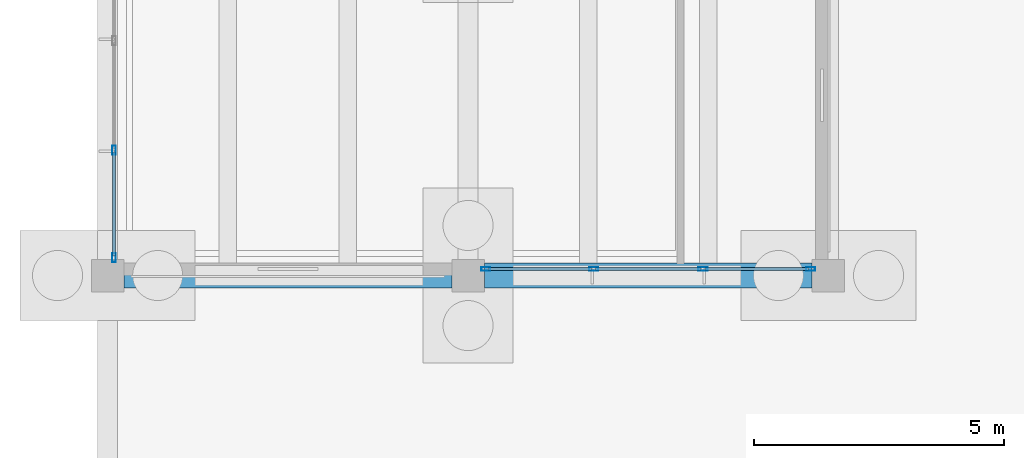
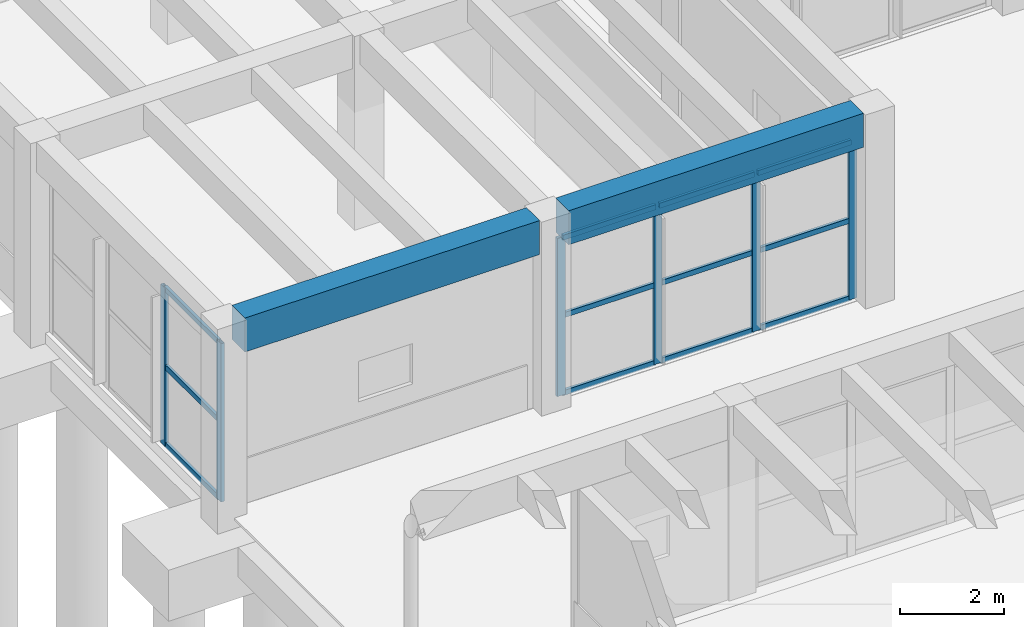
# One storey, part 57 of 155: 18 members, 2 beams, 2 elements without a shape of their own.
"""IFC4 building model written with IfcOpenShell, lengths in metres."""

from ifc_helpers import new_model, si_unit, direction, frame, origin, origin_2d, place, context, subcontext, project, spatial, rectangle, hollow_rectangle, extrude, material, material_profile, profile_set, type_object, element, aggregate, save


model = new_model("IFC4")

# Units and contexts
model_context = context("Model", 3, precision=1e-05, world=origin(), true_north=direction((0.0, 1.0)))
body_context = subcontext(model_context, "Body", "Model", "MODEL_VIEW")
ifc_project = project(units=[si_unit("LENGTHUNIT", "METRE"), si_unit("AREAUNIT", "SQUARE_METRE"), si_unit("VOLUMEUNIT", "CUBIC_METRE"), si_unit("PLANEANGLEUNIT", "RADIAN"), si_unit("MASSUNIT", "GRAM", prefix="KILO")], contexts=[model_context])

# Site, building, storey
site_placement = place(None, origin())
site = spatial("IfcSite", under=ifc_project, at=site_placement, CompositionType="ELEMENT")
building_placement = place(site_placement, origin())
building = spatial("IfcBuilding", under=site, at=building_placement, Name="Bramvelor Terrace Health Centre", CompositionType="ELEMENT")
storey_placement = place(building_placement, origin())
storey = spatial("IfcBuildingStorey", under=building, at=storey_placement, Name="L01", CompositionType="ELEMENT", Elevation=0.0)

# Beams
ifc_material_1 = material(Name="Concrete C40/50", Category="concrete")
ifc_material_profile_1 = material_profile(ifc_material_1, rectangle(XDim=0.5, YDim=0.800048828125, at=origin_2d()), Name="RC 500x800")
ifc_profile_set_1 = profile_set([ifc_material_profile_1], Name="Concrete C40/50")
beam_type = type_object("IfcBeamType", Name="BM-RC-G800", PredefinedType="BEAM", material=ifc_profile_set_1)
for number, where, z_axis, x_axis, name in (
    (1, (0.324951171875, 72.0, 4.159912109375), (1.0, 0.0, 0.0), (0.0, 1.0, 0.0), "L01 Floor Girder"),
    (2, (7.52490234375, 72.0, 4.159912109375), (1.0, 0.0, 0.0), (0.0, 1.0, 0.0), "L01 Floor Girder"),
):
    element("IfcBeam", number, at=place(storey_placement, frame(where, z_axis=z_axis, x_axis=x_axis)), inside=storey, type_object=beam_type, Name=name, PredefinedType="BEAM", context=body_context, shape_type="SweptSolid", body=[
        extrude(rectangle(XDim=0.5, YDim=0.800048828125, at=origin_2d()), origin(), (0.0, 0.0, 1.0), 6.550048828125),
    ])

# Curtain wall, members
ifc_material_2 = material(Name="Anodized aluminium and double low-E glass", Category="aluminium")
curtain_wall_type = type_object("IfcCurtainWallType", Name="CW-SYS-02", PredefinedType="NOTDEFINED", material=ifc_material_2)
curtain_wall_1_placement = place(storey_placement, origin())
curtain_wall_1 = element("IfcCurtainWall", 3, at=curtain_wall_1_placement, inside=storey, type_object=curtain_wall_type, Name="L01 Unitized Curtain Wall 14", PredefinedType="NOTDEFINED")
ifc_material_3 = material(Name="Anodized aluminium 6063-T6", Category="aluminium")
ifc_material_profile_2 = material_profile(ifc_material_3, hollow_rectangle(XDim=0.074951171875, YDim=0.179931640625, WallThickness=0.00341796875, at=origin_2d()), Name="ALU-MUL 75x180x3.5")
ifc_profile_set_2 = profile_set([ifc_material_profile_2], Name="Anodized aluminium 6063-T6")
member_type_1 = type_object("IfcMemberType", Name="CW-MUL-65x180", PredefinedType="MULLION", material=ifc_profile_set_2)
member_1_placement = place(storey_placement, frame((14.04248046875, 72.1298828125, 0.0), z_axis=(0.0, 0.0, 1.0), x_axis=(0.0, -1.0, 0.0)))
member_1 = element("IfcMember", 4, at=member_1_placement, type_object=member_type_1, Name="CW-02 mullion 1", PredefinedType="MULLION", context=body_context, shape_type="SweptSolid", body=[
    extrude(hollow_rectangle(XDim=0.074951171875, YDim=0.179931640625, WallThickness=0.00341796875, at=origin_2d()), origin(), (0.0, 0.0, 1.0), 3.719970703125),
])
member_2_placement = place(storey_placement, frame((11.893310546875, 72.1298828125, 0.0), z_axis=(0.0, 0.0, 1.0), x_axis=(0.0, -1.0, 0.0)))
member_2 = element("IfcMember", 5, at=member_2_placement, type_object=member_type_1, Name="CW-02 mullion 2", PredefinedType="MULLION", context=body_context, shape_type="SweptSolid", body=[
    extrude(hollow_rectangle(XDim=0.074951171875, YDim=0.179931640625, WallThickness=0.00341796875, at=origin_2d()), origin(), (0.0, 0.0, 1.0), 3.719970703125),
])
member_3_placement = place(storey_placement, frame((9.706787109375, 72.1298828125, 0.0), z_axis=(0.0, 0.0, 1.0), x_axis=(0.0, -1.0, 0.0)))
member_3 = element("IfcMember", 6, at=member_3_placement, type_object=member_type_1, Name="CW-02 mullion 3", PredefinedType="MULLION", context=body_context, shape_type="SweptSolid", body=[
    extrude(hollow_rectangle(XDim=0.074951171875, YDim=0.179931640625, WallThickness=0.00341796875, at=origin_2d()), origin(), (0.0, 0.0, 1.0), 3.719970703125),
])
member_4_placement = place(storey_placement, frame((7.5576171875, 72.1298828125, 0.0), z_axis=(0.0, 0.0, 1.0), x_axis=(0.0, -1.0, 0.0)))
member_4 = element("IfcMember", 7, at=member_4_placement, type_object=member_type_1, Name="CW-02 mullion 4", PredefinedType="MULLION", context=body_context, shape_type="SweptSolid", body=[
    extrude(hollow_rectangle(XDim=0.074951171875, YDim=0.179931640625, WallThickness=0.00341796875, at=origin_2d()), origin(), (0.0, 0.0, 1.0), 3.719970703125),
])

curtain_wall_2_placement = place(storey_placement, origin())
curtain_wall_2 = element("IfcCurtainWall", 8, at=curtain_wall_2_placement, inside=storey, type_object=curtain_wall_type, Name="L01 Unitized Curtain Wall 15", PredefinedType="NOTDEFINED")
member_5_placement = place(storey_placement, frame((0.1298828125, 72.357421875, 0.0), z_axis=(0.0, 0.0, 1.0), x_axis=(-1.0, 0.0, 0.0)))
member_5 = element("IfcMember", 9, at=member_5_placement, type_object=member_type_1, Name="CW-02 mullion 1", PredefinedType="MULLION", context=body_context, shape_type="SweptSolid", body=[
    extrude(hollow_rectangle(XDim=0.074951171875, YDim=0.179931640625, WallThickness=0.00341796875, at=origin_2d()), origin(), (0.0, 0.0, 1.0), 3.719970703125),
])
member_6_placement = place(storey_placement, frame((0.1298828125, 74.506591796875, 0.0), z_axis=(0.0, 0.0, 1.0), x_axis=(-1.0, 0.0, 0.0)))
member_6 = element("IfcMember", 10, at=member_6_placement, type_object=member_type_1, Name="CW-02 mullion 2", PredefinedType="MULLION", context=body_context, shape_type="SweptSolid", body=[
    extrude(hollow_rectangle(XDim=0.074951171875, YDim=0.179931640625, WallThickness=0.00341796875, at=origin_2d()), origin(), (0.0, 0.0, 1.0), 3.719970703125),
])

# Member
ifc_material_4 = material(Name="Anodized aluminium 6063-T6", Category="aluminium")
ifc_material_profile_3 = material_profile(ifc_material_4, hollow_rectangle(XDim=0.06494140625, YDim=0.1201171875, WallThickness=0.0029296875, at=origin_2d()), Name="ALU-TRN 65x120x3.0")
ifc_profile_set_3 = profile_set([ifc_material_profile_3], Name="Anodized aluminium 6063-T6")
member_type_2 = type_object("IfcMemberType", Name="CW-TRN-65x150", PredefinedType="USERDEFINED", material=ifc_profile_set_3)
member_7_placement = place(storey_placement, frame((14.0048828125, 72.1298828125, 0.032470703125), z_axis=(-1.0, 0.0, 0.0), x_axis=(0.0, -1.0, 0.0)))
member_7 = element("IfcMember", 11, at=member_7_placement, type_object=member_type_2, Name="CW-02 transom 1.1", ObjectType="TRANSOM", PredefinedType="USERDEFINED", context=body_context, shape_type="SweptSolid", body=[
    extrude(hollow_rectangle(XDim=0.06494140625, YDim=0.1201171875, WallThickness=0.0029296875, at=origin_2d()), origin(), (0.0, 0.0, 1.0), 2.073974609375),
])

member_8_placement = place(storey_placement, frame((14.0048828125, 72.1298828125, 1.860107421875), z_axis=(-1.0, 0.0, 0.0), x_axis=(0.0, -1.0, 0.0)))
member_8 = element("IfcMember", 12, at=member_8_placement, type_object=member_type_2, Name="CW-02 transom 1.2", ObjectType="TRANSOM", PredefinedType="USERDEFINED", context=body_context, shape_type="SweptSolid", body=[
    extrude(hollow_rectangle(XDim=0.06494140625, YDim=0.1201171875, WallThickness=0.0029296875, at=origin_2d()), origin(), (0.0, 0.0, 1.0), 2.073974609375),
])

member_9_placement = place(storey_placement, frame((14.0048828125, 72.1298828125, 3.6875), z_axis=(-1.0, 0.0, 0.0), x_axis=(0.0, -1.0, 0.0)))
member_9 = element("IfcMember", 13, at=member_9_placement, type_object=member_type_2, Name="CW-02 transom 1.3", ObjectType="TRANSOM", PredefinedType="USERDEFINED", context=body_context, shape_type="SweptSolid", body=[
    extrude(hollow_rectangle(XDim=0.06494140625, YDim=0.1201171875, WallThickness=0.0029296875, at=origin_2d()), origin(), (0.0, 0.0, 1.0), 2.073974609375),
])

member_10_placement = place(storey_placement, frame((11.855712890625, 72.1298828125, 0.032470703125), z_axis=(-1.0, 0.0, 0.0), x_axis=(0.0, -1.0, 0.0)))
member_10 = element("IfcMember", 14, at=member_10_placement, type_object=member_type_2, Name="CW-02 transom 2.1", ObjectType="TRANSOM", PredefinedType="USERDEFINED", context=body_context, shape_type="SweptSolid", body=[
    extrude(hollow_rectangle(XDim=0.06494140625, YDim=0.1201171875, WallThickness=0.0029296875, at=origin_2d()), origin(), (0.0, 0.0, 1.0), 2.111572265625),
])

member_11_placement = place(storey_placement, frame((11.855712890625, 72.1298828125, 1.860107421875), z_axis=(-1.0, 0.0, 0.0), x_axis=(0.0, -1.0, 0.0)))
member_11 = element("IfcMember", 15, at=member_11_placement, type_object=member_type_2, Name="CW-02 transom 2.2", ObjectType="TRANSOM", PredefinedType="USERDEFINED", context=body_context, shape_type="SweptSolid", body=[
    extrude(hollow_rectangle(XDim=0.06494140625, YDim=0.1201171875, WallThickness=0.0029296875, at=origin_2d()), origin(), (0.0, 0.0, 1.0), 2.111572265625),
])

member_12_placement = place(storey_placement, frame((11.855712890625, 72.1298828125, 3.6875), z_axis=(-1.0, 0.0, 0.0), x_axis=(0.0, -1.0, 0.0)))
member_12 = element("IfcMember", 16, at=member_12_placement, type_object=member_type_2, Name="CW-02 transom 2.3", ObjectType="TRANSOM", PredefinedType="USERDEFINED", context=body_context, shape_type="SweptSolid", body=[
    extrude(hollow_rectangle(XDim=0.06494140625, YDim=0.1201171875, WallThickness=0.0029296875, at=origin_2d()), origin(), (0.0, 0.0, 1.0), 2.111572265625),
])

member_13_placement = place(storey_placement, frame((9.669189453125, 72.1298828125, 0.032470703125), z_axis=(-1.0, 0.0, 0.0), x_axis=(0.0, -1.0, 0.0)))
member_13 = element("IfcMember", 17, at=member_13_placement, type_object=member_type_2, Name="CW-02 transom 3.1", ObjectType="TRANSOM", PredefinedType="USERDEFINED", context=body_context, shape_type="SweptSolid", body=[
    extrude(hollow_rectangle(XDim=0.06494140625, YDim=0.1201171875, WallThickness=0.0029296875, at=origin_2d()), origin(), (0.0, 0.0, 1.0), 2.07421875),
])

member_14_placement = place(storey_placement, frame((9.669189453125, 72.1298828125, 1.860107421875), z_axis=(-1.0, 0.0, 0.0), x_axis=(0.0, -1.0, 0.0)))
member_14 = element("IfcMember", 18, at=member_14_placement, type_object=member_type_2, Name="CW-02 transom 3.2", ObjectType="TRANSOM", PredefinedType="USERDEFINED", context=body_context, shape_type="SweptSolid", body=[
    extrude(hollow_rectangle(XDim=0.06494140625, YDim=0.1201171875, WallThickness=0.0029296875, at=origin_2d()), origin(), (0.0, 0.0, 1.0), 2.07421875),
])

member_15_placement = place(storey_placement, frame((9.669189453125, 72.1298828125, 3.6875), z_axis=(-1.0, 0.0, 0.0), x_axis=(0.0, -1.0, 0.0)))
member_15 = element("IfcMember", 19, at=member_15_placement, type_object=member_type_2, Name="CW-02 transom 3.3", ObjectType="TRANSOM", PredefinedType="USERDEFINED", context=body_context, shape_type="SweptSolid", body=[
    extrude(hollow_rectangle(XDim=0.06494140625, YDim=0.1201171875, WallThickness=0.0029296875, at=origin_2d()), origin(), (0.0, 0.0, 1.0), 2.07421875),
])

aggregate(curtain_wall_1, [member_1, member_2, member_3, member_4, member_7, member_8, member_9, member_10, member_11, member_12, member_13, member_14, member_15])

member_16_placement = place(storey_placement, frame((0.1298828125, 72.39501953125, 0.032470703125), z_axis=(0.0, 1.0, 0.0), x_axis=(-1.0, 0.0, 0.0)))
member_16 = element("IfcMember", 20, at=member_16_placement, type_object=member_type_2, Name="CW-02 transom 1.1", ObjectType="TRANSOM", PredefinedType="USERDEFINED", context=body_context, shape_type="SweptSolid", body=[
    extrude(hollow_rectangle(XDim=0.06494140625, YDim=0.1201171875, WallThickness=0.0029296875, at=origin_2d()), origin(), (0.0, 0.0, 1.0), 2.07421875),
])

member_17_placement = place(storey_placement, frame((0.1298828125, 72.39501953125, 1.860107421875), z_axis=(0.0, 1.0, 0.0), x_axis=(-1.0, 0.0, 0.0)))
member_17 = element("IfcMember", 21, at=member_17_placement, type_object=member_type_2, Name="CW-02 transom 1.2", ObjectType="TRANSOM", PredefinedType="USERDEFINED", context=body_context, shape_type="SweptSolid", body=[
    extrude(hollow_rectangle(XDim=0.06494140625, YDim=0.1201171875, WallThickness=0.0029296875, at=origin_2d()), origin(), (0.0, 0.0, 1.0), 2.07421875),
])

member_18_placement = place(storey_placement, frame((0.1298828125, 72.39501953125, 3.6875), z_axis=(0.0, 1.0, 0.0), x_axis=(-1.0, 0.0, 0.0)))
member_18 = element("IfcMember", 22, at=member_18_placement, type_object=member_type_2, Name="CW-02 transom 1.3", ObjectType="TRANSOM", PredefinedType="USERDEFINED", context=body_context, shape_type="SweptSolid", body=[
    extrude(hollow_rectangle(XDim=0.06494140625, YDim=0.1201171875, WallThickness=0.0029296875, at=origin_2d()), origin(), (0.0, 0.0, 1.0), 2.07421875),
])

aggregate(curtain_wall_2, [member_5, member_6, member_16, member_17, member_18])

save(model, "model.ifc")
